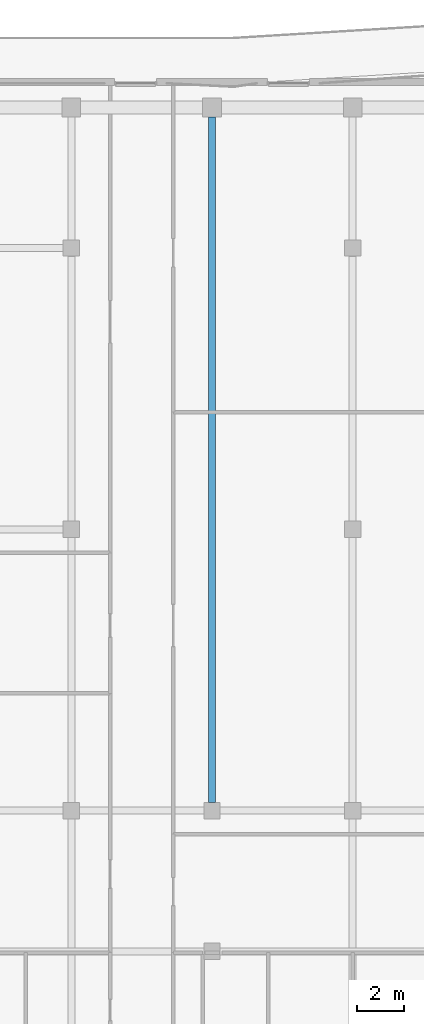
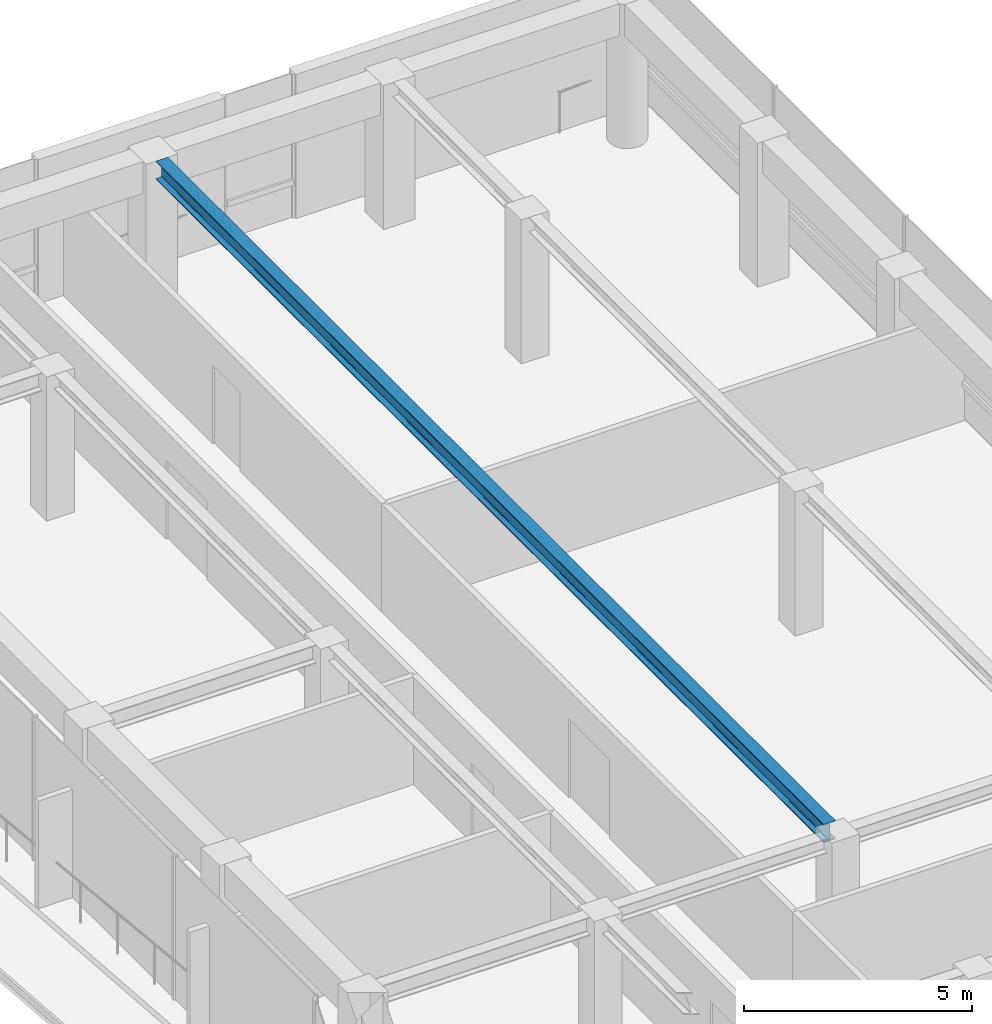
# One storey, part 11 of 21: 1 beam.
"""IFC4 building model written with IfcOpenShell, lengths in metres."""

from ifc_helpers import new_model, si_unit, direction, frame, origin, origin_2d, place, context, subcontext, project, spatial, i_section, extrude, material, material_profile, profile_set, type_object, element, save


model = new_model("IFC4")

# Units and contexts
model_context = context("Model", 3, precision=1e-05, world=origin(), true_north=direction((0.0, 1.0)))
body_context = subcontext(model_context, "Body", "Model", "MODEL_VIEW")
ifc_project = project(units=[si_unit("LENGTHUNIT", "METRE"), si_unit("AREAUNIT", "SQUARE_METRE"), si_unit("VOLUMEUNIT", "CUBIC_METRE"), si_unit("PLANEANGLEUNIT", "RADIAN"), si_unit("MASSUNIT", "GRAM", prefix="KILO")], contexts=[model_context])

# Site, building, storey
site_placement = place(None, origin())
site = spatial("IfcSite", under=ifc_project, at=site_placement, CompositionType="ELEMENT")
building_placement = place(site_placement, origin())
building = spatial("IfcBuilding", under=site, at=building_placement, Name="Welwitschia Terrace Campus", CompositionType="ELEMENT")
storey_placement = place(building_placement, frame((0.0, 0.0, 213.800048828125)))
storey = spatial("IfcBuildingStorey", under=building, at=storey_placement, Name="L47", CompositionType="ELEMENT", Elevation=213.800048828125)

# Beam
ifc_material = material(Name="Steel S355", Category="steel")
ifc_material_profile = material_profile(ifc_material, i_section(OverallWidth=0.300048828125, OverallDepth=0.489990234375, WebThickness=0.011962890625, FlangeThickness=0.02294921875, FilletRadius=0.027099609375, at=origin_2d()))
ifc_profile_set = profile_set([ifc_material_profile], Name="Steel S355")
beam_type = type_object("IfcBeamType", Name="Primary beam HE 500 A", PredefinedType="BEAM", material=ifc_profile_set)
beam_placement = place(storey_placement, frame((12.0, 69.599609375, 3.60498046875), z_axis=(0.0, -1.0, 0.0), x_axis=(1.0, 0.0, 0.0)))
element("IfcBeam", 1, at=beam_placement, inside=storey, type_object=beam_type, Name="Primary beam PB5", PredefinedType="BEAM", context=body_context, shape_type="SweptSolid", body=[
    extrude(i_section(OverallWidth=0.300048828125, OverallDepth=0.489990234375, WebThickness=0.011962890625, FlangeThickness=0.02294921875, FilletRadius=0.027099609375, at=origin_2d()), origin(), (0.0, 0.0, 1.0), 29.2490234375),
])

save(model, "model.ifc")
